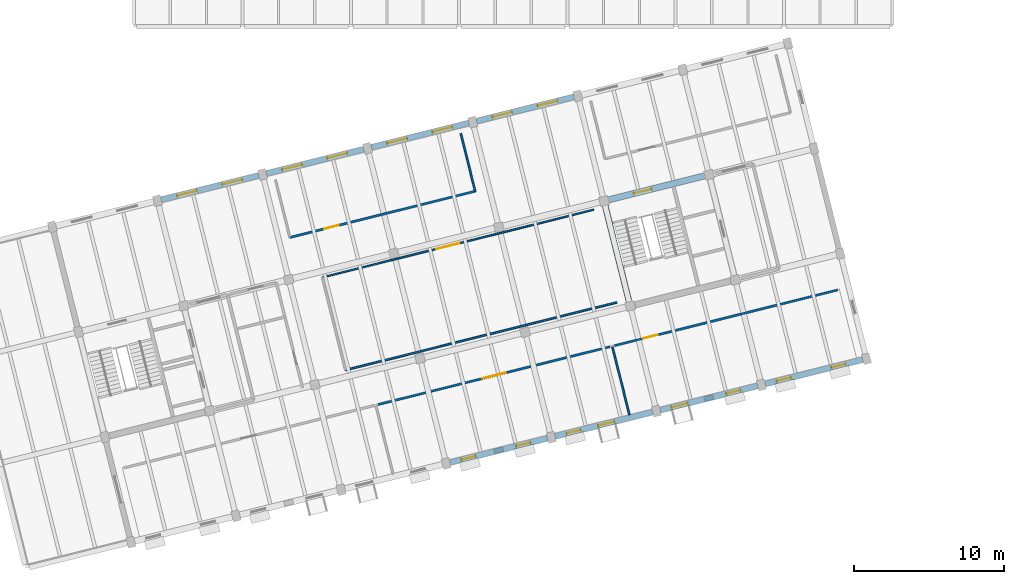
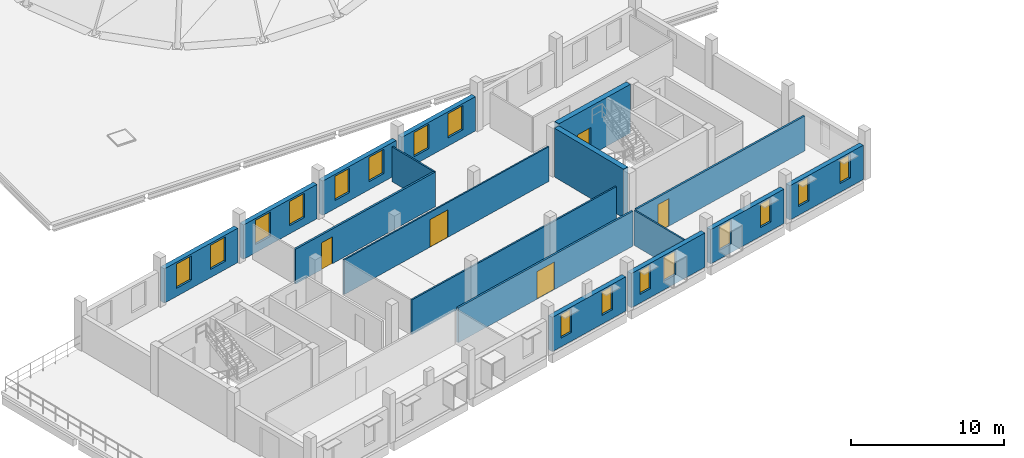
# One storey, part 24 of 32: 17 walls, 16 windows, 5 doors, 21 openings.
"""IFC4 building model written with IfcOpenShell, lengths in metres."""

from ifc_helpers import new_model, si_unit, direction, frame, frame_2d, origin, place, context, subcontext, project, spatial, rectangle, extrude, material, layer, layer_set, type_object, element, fill, save


model = new_model("IFC4")

# Units and contexts
model_context = context("Model", 3, precision=1e-05, world=origin(), true_north=direction((0.0, 1.0)))
body_context = subcontext(model_context, "Body", "Model", "MODEL_VIEW")
ifc_project = project(units=[si_unit("LENGTHUNIT", "METRE"), si_unit("AREAUNIT", "SQUARE_METRE"), si_unit("VOLUMEUNIT", "CUBIC_METRE"), si_unit("PLANEANGLEUNIT", "RADIAN"), si_unit("MASSUNIT", "GRAM", prefix="KILO")], contexts=[model_context])

# Site, building, storey
site_placement = place(None, origin())
site = spatial("IfcSite", under=ifc_project, at=site_placement, CompositionType="ELEMENT")
building_placement = place(site_placement, origin())
building = spatial("IfcBuilding", under=site, at=building_placement, Name="Qiaolan Assembly House", CompositionType="ELEMENT")
storey_placement = place(building_placement, frame((0.0, 0.0, 18.60009765625)))
storey = spatial("IfcBuildingStorey", under=building, at=storey_placement, Name="L04", CompositionType="ELEMENT", Elevation=18.60009765625)

# Wall, opening, door
ifc_material_1 = material(Name="Concrete C45/55", Category="concrete")
ifc_layer_1 = layer(ifc_material_1, 0.39990234375)
ifc_layer_set_1 = layer_set([ifc_layer_1], Name="Concrete C45/55")
wall_type_1 = type_object("IfcWallType", Name="WAL-CORE-400", PredefinedType="SHEAR", material=ifc_layer_set_1)
wall_1_placement = place(storey_placement, frame((81.07958984375, 26.08056640625, 0.0), z_axis=(0.0, 0.0, 1.0), x_axis=(-0.970294759049, -0.241925774902, 0.0)))
wall_1 = element("IfcWall", 1, at=wall_1_placement, inside=storey, type_object=wall_type_1, Name="CW-400 shear core wall CORE-D N L04", PredefinedType="SHEAR", context=body_context, shape_type="SweptSolid", body=[
    extrude(rectangle(XDim=6.5, YDim=0.39990234375, at=frame_2d((3.25, 0.0))), origin(), (0.0, 0.0, 1.0), 3.89990234375),
])
opening_1_placement = place(wall_1_placement, frame((3.60009765625, 0.0, 0.0)))
opening_1 = element("IfcOpeningElement", 2, at=opening_1_placement, cuts=wall_1, Name="Opening FD-103", PredefinedType="OPENING", context=body_context, shape_type="SweptSolid", body=[
    extrude(rectangle(XDim=1.199951171875, YDim=2.199951171875, at=frame_2d((0.60009765625, 1.10009765625))), frame((0.0, 0.2099609375, 0.0), z_axis=(0.0, -1.0, 0.0), x_axis=(1.0, 0.0, 0.0)), (0.0, 0.0, 1.0), 0.419921875),
])
ifc_material_2 = material(Name="Steel Q355B", Category="steel")
door_type_1 = type_object("IfcDoorType", Name="DOR-FIRE-FD90-1200", OperationType="NOTDEFINED", PredefinedType="DOOR", material=ifc_material_2)
door_1_placement = place(opening_1_placement, frame((1.199951171875, 0.0, 0.0), z_axis=(0.0, 0.0, 1.0), x_axis=(-1.0, 0.0, 0.0)))
door_1 = element("IfcDoor", 3, at=door_1_placement, inside=storey, type_object=door_type_1, Name="Stairwell fire door FD-103 (CORE-D L04)", OperationType="SINGLE_SWING_LEFT", OverallHeight=2.199951171875, OverallWidth=1.199951171875, PredefinedType="DOOR", context=body_context, shape_type="SweptSolid", body=[
    extrude(rectangle(XDim=1.199951171875, YDim=2.199951171875, at=frame_2d((0.60009765625, 1.10009765625))), frame((0.0, 0.02490234375, 0.0), z_axis=(0.0, -1.0, 0.0), x_axis=(1.0, 0.0, 0.0)), (0.0, 0.0, 1.0), 0.050048828125),
])
fill(opening_1, door_1)

# Wall
wall_2_placement = place(storey_placement, frame((74.517822265625, 24.083740234375, 0.0), z_axis=(0.0, 0.0, 1.0), x_axis=(0.241925774902, -0.970294759049, 0.0)))
element("IfcWall", 4, at=wall_2_placement, inside=storey, type_object=wall_type_1, Name="CW-400 shear core wall CORE-D W L04", PredefinedType="SHEAR", context=body_context, shape_type="SweptSolid", body=[
    extrude(rectangle(XDim=6.5, YDim=0.39990234375, at=frame_2d((3.25, 0.0))), origin(), (0.0, 0.0, 1.0), 3.89990234375),
])

# Wall, openings, windows
ifc_material_3 = material(Name="Honed pale limestone", Category="masonry")
ifc_layer_2 = layer(ifc_material_3, 0.360107421875)
ifc_layer_set_2 = layer_set([ifc_layer_2], Name="Honed pale limestone")
wall_type_2 = type_object("IfcWallType", Name="WAL-EXT-LIMESTONE-360", PredefinedType="SOLIDWALL", material=ifc_layer_set_2)
wall_3_placement = place(storey_placement, frame((64.19482421875, 7.02978515625, 0.0), z_axis=(0.0, 0.0, 1.0), x_axis=(0.970299141957, 0.24190819564, 0.0)))
wall_3 = element("IfcWall", 5, at=wall_3_placement, inside=storey, type_object=wall_type_2, Name="EW-360 SE South boulevard wall L04 bay 4", PredefinedType="SOLIDWALL", context=body_context, shape_type="SweptSolid", body=[
    extrude(rectangle(XDim=6.68408203125, YDim=0.360107421875, at=frame_2d((3.342041015625, 0.0))), origin(), (0.0, 0.0, 1.0), 2.739990234375),
])
opening_2_placement = place(wall_3_placement, frame((0.7919921875, 0.0, 0.699951171875)))
opening_2 = element("IfcOpeningElement", 6, at=opening_2_placement, cuts=wall_3, Name="Opening WN-346", PredefinedType="OPENING", context=body_context, shape_type="SweptSolid", body=[
    extrude(rectangle(XDim=0.949951171875, YDim=1.889892578125, at=frame_2d((0.47509765625, 0.94482421875))), frame((0.0, 0.18994140625, 0.0), z_axis=(0.0, -1.0, 0.0), x_axis=(1.0, 0.0, 0.0)), (0.0, 0.0, 1.0), 0.380126953125),
])
opening_3_placement = place(wall_3_placement, frame((4.5419921875, 0.0, 0.699951171875)))
opening_3 = element("IfcOpeningElement", 7, at=opening_3_placement, cuts=wall_3, Name="Opening WN-347", PredefinedType="OPENING", context=body_context, shape_type="SweptSolid", body=[
    extrude(rectangle(XDim=0.949951171875, YDim=1.889892578125, at=frame_2d((0.47509765625, 0.94482421875))), frame((0.0, 0.18994140625, 0.0), z_axis=(0.0, -1.0, 0.0), x_axis=(1.0, 0.0, 0.0)), (0.0, 0.0, 1.0), 0.380126953125),
])
ifc_material_4 = material(Name="Low-E double insulating glass", Category="glass")
window_type_1 = type_object("IfcWindowType", Name="WIN-PUNCH-950x2150", PartitioningType="SINGLE_PANEL", PredefinedType="WINDOW", material=ifc_material_4)
window_1_placement = place(opening_2_placement, origin())
window_1 = element("IfcWindow", 8, at=window_1_placement, inside=storey, type_object=window_type_1, Name="WN-T14 splayed window WN-346", OverallHeight=1.889892578125, OverallWidth=0.949951171875, PartitioningType="SINGLE_PANEL", PredefinedType="WINDOW", context=body_context, shape_type="SweptSolid", body=[
    extrude(rectangle(XDim=0.949951171875, YDim=1.889892578125, at=frame_2d((0.47509765625, 0.94482421875))), frame((0.0, 0.030029296875, 0.0), z_axis=(0.0, -1.0, 0.0), x_axis=(1.0, 0.0, 0.0)), (0.0, 0.0, 1.0), 0.06005859375),
])
fill(opening_2, window_1)
window_2_placement = place(opening_3_placement, origin())
window_2 = element("IfcWindow", 9, at=window_2_placement, inside=storey, type_object=window_type_1, Name="WN-T14 splayed window WN-347", OverallHeight=1.889892578125, OverallWidth=0.949951171875, PartitioningType="SINGLE_PANEL", PredefinedType="WINDOW", context=body_context, shape_type="SweptSolid", body=[
    extrude(rectangle(XDim=0.949951171875, YDim=1.889892578125, at=frame_2d((0.47509765625, 0.94482421875))), frame((0.0, 0.030029296875, 0.0), z_axis=(0.0, -1.0, 0.0), x_axis=(1.0, 0.0, 0.0)), (0.0, 0.0, 1.0), 0.06005859375),
])
fill(opening_3, window_2)

wall_4_placement = place(storey_placement, frame((71.180908203125, 8.771484375, 0.0), z_axis=(0.0, 0.0, 1.0), x_axis=(0.970290568044, 0.2419425832, 0.0)))
wall_4 = element("IfcWall", 10, at=wall_4_placement, inside=storey, type_object=wall_type_2, Name="EW-360 SE South boulevard wall L04 bay 5", PredefinedType="SOLIDWALL", context=body_context, shape_type="SweptSolid", body=[
    extrude(rectangle(XDim=6.68408203125, YDim=0.360107421875, at=frame_2d((3.342041015625, 0.0))), origin(), (0.0, 0.0, 1.0), 2.739990234375),
])
opening_4_placement = place(wall_4_placement, frame((0.7919921875, 0.0, 0.699951171875)))
opening_4 = element("IfcOpeningElement", 11, at=opening_4_placement, cuts=wall_4, Name="Opening WN-348", PredefinedType="OPENING", context=body_context, shape_type="SweptSolid", body=[
    extrude(rectangle(XDim=0.949951171875, YDim=1.889892578125, at=frame_2d((0.47509765625, 0.94482421875))), frame((0.0, 0.18994140625, 0.0), z_axis=(0.0, -1.0, 0.0), x_axis=(1.0, 0.0, 0.0)), (0.0, 0.0, 1.0), 0.380126953125),
])
opening_5_placement = place(wall_4_placement, frame((2.95703125, 0.0, 0.699951171875)))
opening_5 = element("IfcOpeningElement", 12, at=opening_5_placement, cuts=wall_4, Name="Opening WN-349", PredefinedType="OPENING", context=body_context, shape_type="SweptSolid", body=[
    extrude(rectangle(XDim=1.10009765625, YDim=1.889892578125, at=frame_2d((0.550048828125, 0.94482421875))), frame((0.0, 0.18994140625, 0.0), z_axis=(0.0, -1.0, 0.0), x_axis=(1.0, 0.0, 0.0)), (0.0, 0.0, 1.0), 0.380126953125),
])
window_type_2 = type_object("IfcWindowType", Name="WIN-BOX-1100x2350", PartitioningType="SINGLE_PANEL", PredefinedType="WINDOW", material=ifc_material_4)
window_3_placement = place(opening_5_placement, origin())
window_3 = element("IfcWindow", 13, at=window_3_placement, inside=storey, type_object=window_type_2, Name="WN-T11 splayed window WN-349", OverallHeight=1.889892578125, OverallWidth=1.10009765625, PartitioningType="SINGLE_PANEL", PredefinedType="WINDOW", context=body_context, shape_type="SweptSolid", body=[
    extrude(rectangle(XDim=1.10009765625, YDim=1.889892578125, at=frame_2d((0.550048828125, 0.94482421875))), frame((0.0, 0.030029296875, 0.0), z_axis=(0.0, -1.0, 0.0), x_axis=(1.0, 0.0, 0.0)), (0.0, 0.0, 1.0), 0.06005859375),
])
fill(opening_5, window_3)
window_4_placement = place(opening_4_placement, origin())
window_4 = element("IfcWindow", 14, at=window_4_placement, inside=storey, type_object=window_type_1, Name="WN-T14 splayed window WN-348", OverallHeight=1.889892578125, OverallWidth=0.949951171875, PartitioningType="SINGLE_PANEL", PredefinedType="WINDOW", context=body_context, shape_type="SweptSolid", body=[
    extrude(rectangle(XDim=0.949951171875, YDim=1.889892578125, at=frame_2d((0.47509765625, 0.94482421875))), frame((0.0, 0.030029296875, 0.0), z_axis=(0.0, -1.0, 0.0), x_axis=(1.0, 0.0, 0.0)), (0.0, 0.0, 1.0), 0.06005859375),
])
fill(opening_4, window_4)

wall_5_placement = place(storey_placement, frame((78.1669921875, 10.513427734375, 0.0), z_axis=(0.0, 0.0, 1.0), x_axis=(0.970299141957, 0.24190819564, 0.0)))
wall_5 = element("IfcWall", 15, at=wall_5_placement, inside=storey, type_object=wall_type_2, Name="EW-360 SE South boulevard wall L04 bay 6", PredefinedType="SOLIDWALL", context=body_context, shape_type="SweptSolid", body=[
    extrude(rectangle(XDim=6.68408203125, YDim=0.360107421875, at=frame_2d((3.342041015625, 0.0))), origin(), (0.0, 0.0, 1.0), 2.739990234375),
])
opening_6_placement = place(wall_5_placement, frame((0.7919921875, 0.0, 0.699951171875)))
opening_6 = element("IfcOpeningElement", 16, at=opening_6_placement, cuts=wall_5, Name="Opening WN-350", PredefinedType="OPENING", context=body_context, shape_type="SweptSolid", body=[
    extrude(rectangle(XDim=1.10009765625, YDim=1.889892578125, at=frame_2d((0.550048828125, 0.94482421875))), frame((0.0, 0.18994140625, 0.0), z_axis=(0.0, -1.0, 0.0), x_axis=(1.0, 0.0, 0.0)), (0.0, 0.0, 1.0), 0.380126953125),
])
opening_7_placement = place(wall_5_placement, frame((4.5419921875, 0.0, 0.699951171875)))
opening_7 = element("IfcOpeningElement", 17, at=opening_7_placement, cuts=wall_5, Name="Opening WN-351", PredefinedType="OPENING", context=body_context, shape_type="SweptSolid", body=[
    extrude(rectangle(XDim=0.949951171875, YDim=1.889892578125, at=frame_2d((0.47509765625, 0.94482421875))), frame((0.0, 0.18994140625, 0.0), z_axis=(0.0, -1.0, 0.0), x_axis=(1.0, 0.0, 0.0)), (0.0, 0.0, 1.0), 0.380126953125),
])
window_5_placement = place(opening_6_placement, origin())
window_5 = element("IfcWindow", 18, at=window_5_placement, inside=storey, type_object=window_type_2, Name="WN-T11 splayed window WN-350", OverallHeight=1.889892578125, OverallWidth=1.10009765625, PartitioningType="SINGLE_PANEL", PredefinedType="WINDOW", context=body_context, shape_type="SweptSolid", body=[
    extrude(rectangle(XDim=1.10009765625, YDim=1.889892578125, at=frame_2d((0.550048828125, 0.94482421875))), frame((0.0, 0.030029296875, 0.0), z_axis=(0.0, -1.0, 0.0), x_axis=(1.0, 0.0, 0.0)), (0.0, 0.0, 1.0), 0.06005859375),
])
fill(opening_6, window_5)
window_6_placement = place(opening_7_placement, origin())
window_6 = element("IfcWindow", 19, at=window_6_placement, inside=storey, type_object=window_type_1, Name="WN-T14 splayed window WN-351", OverallHeight=1.889892578125, OverallWidth=0.949951171875, PartitioningType="SINGLE_PANEL", PredefinedType="WINDOW", context=body_context, shape_type="SweptSolid", body=[
    extrude(rectangle(XDim=0.949951171875, YDim=1.889892578125, at=frame_2d((0.47509765625, 0.94482421875))), frame((0.0, 0.030029296875, 0.0), z_axis=(0.0, -1.0, 0.0), x_axis=(1.0, 0.0, 0.0)), (0.0, 0.0, 1.0), 0.06005859375),
])
fill(opening_7, window_6)

wall_6_placement = place(storey_placement, frame((85.1533203125, 12.25537109375, 0.0), z_axis=(0.0, 0.0, 1.0), x_axis=(0.970297004388, 0.241916769314, 0.0)))
wall_6 = element("IfcWall", 20, at=wall_6_placement, inside=storey, type_object=wall_type_2, Name="EW-360 SE South boulevard wall L04 bay 7", PredefinedType="SOLIDWALL", context=body_context, shape_type="SweptSolid", body=[
    extrude(rectangle(XDim=6.683837890625, YDim=0.360107421875, at=frame_2d((3.341796875, 0.0))), origin(), (0.0, 0.0, 1.0), 2.739990234375),
])
opening_8_placement = place(wall_6_placement, frame((0.7919921875, 0.0, 0.699951171875)))
opening_8 = element("IfcOpeningElement", 21, at=opening_8_placement, cuts=wall_6, Name="Opening WN-352", PredefinedType="OPENING", context=body_context, shape_type="SweptSolid", body=[
    extrude(rectangle(XDim=0.949951171875, YDim=1.889892578125, at=frame_2d((0.47509765625, 0.94482421875))), frame((0.0, 0.18994140625, 0.0), z_axis=(0.0, -1.0, 0.0), x_axis=(1.0, 0.0, 0.0)), (0.0, 0.0, 1.0), 0.380126953125),
])
opening_9_placement = place(wall_6_placement, frame((4.5419921875, 0.0, 0.699951171875)))
opening_9 = element("IfcOpeningElement", 22, at=opening_9_placement, cuts=wall_6, Name="Opening WN-353", PredefinedType="OPENING", context=body_context, shape_type="SweptSolid", body=[
    extrude(rectangle(XDim=0.949951171875, YDim=1.889892578125, at=frame_2d((0.47509765625, 0.94482421875))), frame((0.0, 0.18994140625, 0.0), z_axis=(0.0, -1.0, 0.0), x_axis=(1.0, 0.0, 0.0)), (0.0, 0.0, 1.0), 0.380126953125),
])
window_7_placement = place(opening_8_placement, origin())
window_7 = element("IfcWindow", 23, at=window_7_placement, inside=storey, type_object=window_type_1, Name="WN-T14 splayed window WN-352", OverallHeight=1.889892578125, OverallWidth=0.949951171875, PartitioningType="SINGLE_PANEL", PredefinedType="WINDOW", context=body_context, shape_type="SweptSolid", body=[
    extrude(rectangle(XDim=0.949951171875, YDim=1.889892578125, at=frame_2d((0.47509765625, 0.94482421875))), frame((0.0, 0.030029296875, 0.0), z_axis=(0.0, -1.0, 0.0), x_axis=(1.0, 0.0, 0.0)), (0.0, 0.0, 1.0), 0.06005859375),
])
fill(opening_8, window_7)
window_8_placement = place(opening_9_placement, origin())
window_8 = element("IfcWindow", 24, at=window_8_placement, inside=storey, type_object=window_type_1, Name="WN-T14 splayed window WN-353", OverallHeight=1.889892578125, OverallWidth=0.949951171875, PartitioningType="SINGLE_PANEL", PredefinedType="WINDOW", context=body_context, shape_type="SweptSolid", body=[
    extrude(rectangle(XDim=0.949951171875, YDim=1.889892578125, at=frame_2d((0.47509765625, 0.94482421875))), frame((0.0, 0.030029296875, 0.0), z_axis=(0.0, -1.0, 0.0), x_axis=(1.0, 0.0, 0.0)), (0.0, 0.0, 1.0), 0.06005859375),
])
fill(opening_9, window_8)

wall_7_placement = place(storey_placement, frame((51.482421875, 26.12158203125, 0.0), z_axis=(0.0, 0.0, 1.0), x_axis=(-0.970288429886, -0.241951157942, 0.0)))
wall_7 = element("IfcWall", 25, at=wall_7_placement, inside=storey, type_object=wall_type_2, Name="EW-360 SE North court wall L04 bay 2", PredefinedType="SOLIDWALL", context=body_context, shape_type="SweptSolid", body=[
    extrude(rectangle(XDim=6.683837890625, YDim=0.360107421875, at=frame_2d((3.341796875, 0.0))), origin(), (0.0, 0.0, 1.0), 2.739990234375),
])
opening_10_placement = place(wall_7_placement, frame((1.14208984375, 0.0, 0.64990234375)))
opening_10 = element("IfcOpeningElement", 26, at=opening_10_placement, cuts=wall_7, Name="Opening WN-356", PredefinedType="OPENING", context=body_context, shape_type="SweptSolid", body=[
    extrude(rectangle(XDim=1.35009765625, YDim=1.93994140625, at=frame_2d((0.675048828125, 0.969970703125))), frame((0.0, 0.18994140625, 0.0), z_axis=(0.0, -1.0, 0.0), x_axis=(1.0, 0.0, 0.0)), (0.0, 0.0, 1.0), 0.380126953125),
])
opening_11_placement = place(wall_7_placement, frame((4.241943359375, 0.0, 0.64990234375)))
opening_11 = element("IfcOpeningElement", 27, at=opening_11_placement, cuts=wall_7, Name="Opening WN-357", PredefinedType="OPENING", context=body_context, shape_type="SweptSolid", body=[
    extrude(rectangle(XDim=1.35009765625, YDim=1.93994140625, at=frame_2d((0.675048828125, 0.969970703125))), frame((0.0, 0.18994140625, 0.0), z_axis=(0.0, -1.0, 0.0), x_axis=(1.0, 0.0, 0.0)), (0.0, 0.0, 1.0), 0.380126953125),
])
window_type_3 = type_object("IfcWindowType", Name="WIN-COURT-1350x2150", PartitioningType="DOUBLE_PANEL_VERTICAL", PredefinedType="WINDOW", material=ifc_material_4)
window_9_placement = place(opening_10_placement, origin())
window_9 = element("IfcWindow", 28, at=window_9_placement, inside=storey, type_object=window_type_3, Name="SE court window WN-356", OverallHeight=1.93994140625, OverallWidth=1.35009765625, PartitioningType="DOUBLE_PANEL_VERTICAL", PredefinedType="WINDOW", context=body_context, shape_type="SweptSolid", body=[
    extrude(rectangle(XDim=1.35009765625, YDim=1.93994140625, at=frame_2d((0.675048828125, 0.969970703125))), frame((0.0, 0.030029296875, 0.0), z_axis=(0.0, -1.0, 0.0), x_axis=(1.0, 0.0, 0.0)), (0.0, 0.0, 1.0), 0.06005859375),
])
fill(opening_10, window_9)
window_10_placement = place(opening_11_placement, origin())
window_10 = element("IfcWindow", 29, at=window_10_placement, inside=storey, type_object=window_type_3, Name="SE court window WN-357", OverallHeight=1.93994140625, OverallWidth=1.35009765625, PartitioningType="DOUBLE_PANEL_VERTICAL", PredefinedType="WINDOW", context=body_context, shape_type="SweptSolid", body=[
    extrude(rectangle(XDim=1.35009765625, YDim=1.93994140625, at=frame_2d((0.675048828125, 0.969970703125))), frame((0.0, 0.030029296875, 0.0), z_axis=(0.0, -1.0, 0.0), x_axis=(1.0, 0.0, 0.0)), (0.0, 0.0, 1.0), 0.06005859375),
])
fill(opening_11, window_10)

wall_8_placement = place(storey_placement, frame((58.46875, 27.86328125, 0.0), z_axis=(0.0, 0.0, 1.0), x_axis=(-0.970299141957, -0.24190819564, 0.0)))
wall_8 = element("IfcWall", 30, at=wall_8_placement, inside=storey, type_object=wall_type_2, Name="EW-360 SE North court wall L04 bay 3", PredefinedType="SOLIDWALL", context=body_context, shape_type="SweptSolid", body=[
    extrude(rectangle(XDim=6.68408203125, YDim=0.360107421875, at=frame_2d((3.342041015625, 0.0))), origin(), (0.0, 0.0, 1.0), 2.739990234375),
])
opening_12_placement = place(wall_8_placement, frame((1.14208984375, 0.0, 0.64990234375)))
opening_12 = element("IfcOpeningElement", 31, at=opening_12_placement, cuts=wall_8, Name="Opening WN-358", PredefinedType="OPENING", context=body_context, shape_type="SweptSolid", body=[
    extrude(rectangle(XDim=1.35009765625, YDim=1.93994140625, at=frame_2d((0.675048828125, 0.969970703125))), frame((0.0, 0.18994140625, 0.0), z_axis=(0.0, -1.0, 0.0), x_axis=(1.0, 0.0, 0.0)), (0.0, 0.0, 1.0), 0.380126953125),
])
opening_13_placement = place(wall_8_placement, frame((4.241943359375, 0.0, 0.64990234375)))
opening_13 = element("IfcOpeningElement", 32, at=opening_13_placement, cuts=wall_8, Name="Opening WN-359", PredefinedType="OPENING", context=body_context, shape_type="SweptSolid", body=[
    extrude(rectangle(XDim=1.35009765625, YDim=1.93994140625, at=frame_2d((0.675048828125, 0.969970703125))), frame((0.0, 0.18994140625, 0.0), z_axis=(0.0, -1.0, 0.0), x_axis=(1.0, 0.0, 0.0)), (0.0, 0.0, 1.0), 0.380126953125),
])
window_11_placement = place(opening_12_placement, origin())
window_11 = element("IfcWindow", 33, at=window_11_placement, inside=storey, type_object=window_type_3, Name="SE court window WN-358", OverallHeight=1.93994140625, OverallWidth=1.35009765625, PartitioningType="DOUBLE_PANEL_VERTICAL", PredefinedType="WINDOW", context=body_context, shape_type="SweptSolid", body=[
    extrude(rectangle(XDim=1.35009765625, YDim=1.93994140625, at=frame_2d((0.675048828125, 0.969970703125))), frame((0.0, 0.030029296875, 0.0), z_axis=(0.0, -1.0, 0.0), x_axis=(1.0, 0.0, 0.0)), (0.0, 0.0, 1.0), 0.06005859375),
])
fill(opening_12, window_11)
window_12_placement = place(opening_13_placement, origin())
window_12 = element("IfcWindow", 34, at=window_12_placement, inside=storey, type_object=window_type_3, Name="SE court window WN-359", OverallHeight=1.93994140625, OverallWidth=1.35009765625, PartitioningType="DOUBLE_PANEL_VERTICAL", PredefinedType="WINDOW", context=body_context, shape_type="SweptSolid", body=[
    extrude(rectangle(XDim=1.35009765625, YDim=1.93994140625, at=frame_2d((0.675048828125, 0.969970703125))), frame((0.0, 0.030029296875, 0.0), z_axis=(0.0, -1.0, 0.0), x_axis=(1.0, 0.0, 0.0)), (0.0, 0.0, 1.0), 0.06005859375),
])
fill(opening_13, window_12)

wall_9_placement = place(storey_placement, frame((65.454833984375, 29.605224609375, 0.0), z_axis=(0.0, 0.0, 1.0), x_axis=(-0.970290568044, -0.2419425832, 0.0)))
wall_9 = element("IfcWall", 35, at=wall_9_placement, inside=storey, type_object=wall_type_2, Name="EW-360 SE North court wall L04 bay 4", PredefinedType="SOLIDWALL", context=body_context, shape_type="SweptSolid", body=[
    extrude(rectangle(XDim=6.68408203125, YDim=0.360107421875, at=frame_2d((3.342041015625, 0.0))), origin(), (0.0, 0.0, 1.0), 2.739990234375),
])
opening_14_placement = place(wall_9_placement, frame((1.14208984375, 0.0, 0.64990234375)))
opening_14 = element("IfcOpeningElement", 36, at=opening_14_placement, cuts=wall_9, Name="Opening WN-360", PredefinedType="OPENING", context=body_context, shape_type="SweptSolid", body=[
    extrude(rectangle(XDim=1.35009765625, YDim=1.93994140625, at=frame_2d((0.675048828125, 0.969970703125))), frame((0.0, 0.18994140625, 0.0), z_axis=(0.0, -1.0, 0.0), x_axis=(1.0, 0.0, 0.0)), (0.0, 0.0, 1.0), 0.380126953125),
])
opening_15_placement = place(wall_9_placement, frame((4.241943359375, 0.0, 0.64990234375)))
opening_15 = element("IfcOpeningElement", 37, at=opening_15_placement, cuts=wall_9, Name="Opening WN-361", PredefinedType="OPENING", context=body_context, shape_type="SweptSolid", body=[
    extrude(rectangle(XDim=1.35009765625, YDim=1.93994140625, at=frame_2d((0.675048828125, 0.969970703125))), frame((0.0, 0.18994140625, 0.0), z_axis=(0.0, -1.0, 0.0), x_axis=(1.0, 0.0, 0.0)), (0.0, 0.0, 1.0), 0.380126953125),
])
window_13_placement = place(opening_14_placement, origin())
window_13 = element("IfcWindow", 38, at=window_13_placement, inside=storey, type_object=window_type_3, Name="SE court window WN-360", OverallHeight=1.93994140625, OverallWidth=1.35009765625, PartitioningType="DOUBLE_PANEL_VERTICAL", PredefinedType="WINDOW", context=body_context, shape_type="SweptSolid", body=[
    extrude(rectangle(XDim=1.35009765625, YDim=1.93994140625, at=frame_2d((0.675048828125, 0.969970703125))), frame((0.0, 0.030029296875, 0.0), z_axis=(0.0, -1.0, 0.0), x_axis=(1.0, 0.0, 0.0)), (0.0, 0.0, 1.0), 0.06005859375),
])
fill(opening_14, window_13)
window_14_placement = place(opening_15_placement, origin())
window_14 = element("IfcWindow", 39, at=window_14_placement, inside=storey, type_object=window_type_3, Name="SE court window WN-361", OverallHeight=1.93994140625, OverallWidth=1.35009765625, PartitioningType="DOUBLE_PANEL_VERTICAL", PredefinedType="WINDOW", context=body_context, shape_type="SweptSolid", body=[
    extrude(rectangle(XDim=1.35009765625, YDim=1.93994140625, at=frame_2d((0.675048828125, 0.969970703125))), frame((0.0, 0.030029296875, 0.0), z_axis=(0.0, -1.0, 0.0), x_axis=(1.0, 0.0, 0.0)), (0.0, 0.0, 1.0), 0.06005859375),
])
fill(opening_15, window_14)

wall_10_placement = place(storey_placement, frame((72.44091796875, 31.346923828125, 0.0), z_axis=(0.0, 0.0, 1.0), x_axis=(-0.970297004388, -0.241916769314, 0.0)))
wall_10 = element("IfcWall", 40, at=wall_10_placement, inside=storey, type_object=wall_type_2, Name="EW-360 SE North court wall L04 bay 5", PredefinedType="SOLIDWALL", context=body_context, shape_type="SweptSolid", body=[
    extrude(rectangle(XDim=6.683837890625, YDim=0.360107421875, at=frame_2d((3.341796875, 0.0))), origin(), (0.0, 0.0, 1.0), 2.739990234375),
])
opening_16_placement = place(wall_10_placement, frame((1.14208984375, 0.0, 0.64990234375)))
opening_16 = element("IfcOpeningElement", 41, at=opening_16_placement, cuts=wall_10, Name="Opening WN-362", PredefinedType="OPENING", context=body_context, shape_type="SweptSolid", body=[
    extrude(rectangle(XDim=1.35009765625, YDim=1.93994140625, at=frame_2d((0.675048828125, 0.969970703125))), frame((0.0, 0.18994140625, 0.0), z_axis=(0.0, -1.0, 0.0), x_axis=(1.0, 0.0, 0.0)), (0.0, 0.0, 1.0), 0.380126953125),
])
opening_17_placement = place(wall_10_placement, frame((4.241943359375, 0.0, 0.64990234375)))
opening_17 = element("IfcOpeningElement", 42, at=opening_17_placement, cuts=wall_10, Name="Opening WN-363", PredefinedType="OPENING", context=body_context, shape_type="SweptSolid", body=[
    extrude(rectangle(XDim=1.35009765625, YDim=1.93994140625, at=frame_2d((0.675048828125, 0.969970703125))), frame((0.0, 0.18994140625, 0.0), z_axis=(0.0, -1.0, 0.0), x_axis=(1.0, 0.0, 0.0)), (0.0, 0.0, 1.0), 0.380126953125),
])
window_15_placement = place(opening_16_placement, origin())
window_15 = element("IfcWindow", 43, at=window_15_placement, inside=storey, type_object=window_type_3, Name="SE court window WN-362", OverallHeight=1.93994140625, OverallWidth=1.35009765625, PartitioningType="DOUBLE_PANEL_VERTICAL", PredefinedType="WINDOW", context=body_context, shape_type="SweptSolid", body=[
    extrude(rectangle(XDim=1.35009765625, YDim=1.93994140625, at=frame_2d((0.675048828125, 0.969970703125))), frame((0.0, 0.030029296875, 0.0), z_axis=(0.0, -1.0, 0.0), x_axis=(1.0, 0.0, 0.0)), (0.0, 0.0, 1.0), 0.06005859375),
])
fill(opening_16, window_15)
window_16_placement = place(opening_17_placement, origin())
window_16 = element("IfcWindow", 44, at=window_16_placement, inside=storey, type_object=window_type_3, Name="SE court window WN-363", OverallHeight=1.93994140625, OverallWidth=1.35009765625, PartitioningType="DOUBLE_PANEL_VERTICAL", PredefinedType="WINDOW", context=body_context, shape_type="SweptSolid", body=[
    extrude(rectangle(XDim=1.35009765625, YDim=1.93994140625, at=frame_2d((0.675048828125, 0.969970703125))), frame((0.0, 0.030029296875, 0.0), z_axis=(0.0, -1.0, 0.0), x_axis=(1.0, 0.0, 0.0)), (0.0, 0.0, 1.0), 0.06005859375),
])
fill(opening_17, window_16)

# Walls
ifc_material_5 = material(Name="Gypsum plasterboard partition")
ifc_layer_3 = layer(ifc_material_5, 0.1201171875)
ifc_layer_set_3 = layer_set([ifc_layer_3], Name="Gypsum plasterboard partition")
wall_type_3 = type_object("IfcWallType", Name="WAL-PART-120", PredefinedType="PARTITIONING", material=ifc_layer_set_3)
wall_11_placement = place(storey_placement, frame((76.126708984375, 10.190185546875, 0.0), z_axis=(0.0, 0.0, 1.0), x_axis=(-0.241945139998, 0.970289930501, 0.0)))
element("IfcWall", 45, at=wall_11_placement, inside=storey, type_object=wall_type_3, Name="West Splayed Terrace Lounge & Tea Bar demising wall", PredefinedType="PARTITIONING", context=body_context, shape_type="SweptSolid", body=[
    extrude(rectangle(XDim=4.669921875, YDim=0.1201171875, at=frame_2d((2.3349609375, 0.0))), origin(), (0.0, 0.0, 1.0), 2.77978515625),
])
wall_12_placement = place(storey_placement, frame((57.242431640625, 13.180419921875, 0.0), z_axis=(0.0, 0.0, 1.0), x_axis=(0.970295185925, 0.24192406282, 0.0)))
element("IfcWall", 46, at=wall_12_placement, inside=storey, type_object=wall_type_3, Name="Smart City Operations & Dispatch Room south partition", PredefinedType="PARTITIONING", context=body_context, shape_type="SweptSolid", body=[
    extrude(rectangle(XDim=18.599853515625, YDim=0.1201171875, at=frame_2d((9.2998046875, 0.0))), origin(), (0.0, 0.0, 1.0), 2.77978515625),
])
wall_13_placement = place(storey_placement, frame((64.91650390625, 28.904052734375, 0.0), z_axis=(0.0, 0.0, 1.0), x_axis=(0.241924747697, -0.970295015164, 0.0)))
element("IfcWall", 47, at=wall_13_placement, inside=storey, type_object=wall_type_3, Name="Court Outlook Consultation Suite L04 east wall", PredefinedType="PARTITIONING", context=body_context, shape_type="SweptSolid", body=[
    extrude(rectangle(XDim=3.949951171875, YDim=0.1201171875, at=frame_2d((1.97509765625, 0.0))), origin(), (0.0, 0.0, 1.0), 2.77978515625),
])

# Wall, opening, door
ifc_layer_4 = layer(ifc_material_5, 0.14990234375)
ifc_layer_set_4 = layer_set([ifc_layer_4], Name="Gypsum plasterboard partition")
wall_type_4 = type_object("IfcWallType", Name="WAL-PART-150", PredefinedType="PARTITIONING", material=ifc_layer_set_4)
wall_14_placement = place(storey_placement, frame((59.41162109375, 10.88720703125, 0.0), z_axis=(0.0, 0.0, 1.0), x_axis=(0.970297655112, 0.241914159329, 0.0)))
wall_14 = element("IfcWall", 48, at=wall_14_placement, inside=storey, type_object=wall_type_4, Name="Smart Mobility Traffic Briefing Room north wall", PredefinedType="PARTITIONING", context=body_context, shape_type="SweptSolid", body=[
    extrude(rectangle(XDim=15.89990234375, YDim=0.14990234375, at=frame_2d((7.949951171875, 0.0))), origin(), (0.0, 0.0, 1.0), 2.77978515625),
])
opening_18_placement = place(wall_14_placement, frame((7.14990234375, 0.0, 0.0)))
opening_18 = element("IfcOpeningElement", 49, at=opening_18_placement, cuts=wall_14, Name="Opening SD-263", PredefinedType="OPENING", context=body_context, shape_type="SweptSolid", body=[
    extrude(rectangle(XDim=1.60009765625, YDim=2.199951171875, at=frame_2d((0.800048828125, 1.10009765625))), frame((0.0, 0.0849609375, 0.0), z_axis=(0.0, -1.0, 0.0), x_axis=(1.0, 0.0, 0.0)), (0.0, 0.0, 1.0), 0.169921875),
])
ifc_material_6 = material(Name="Acoustic oak panelling")
door_type_2 = type_object("IfcDoorType", Name="DOR-COMM-DBL-1600", OperationType="DOUBLE_DOOR_SINGLE_SWING", PredefinedType="DOOR", material=ifc_material_6)
door_2_placement = place(opening_18_placement, origin())
door_2 = element("IfcDoor", 50, at=door_2_placement, inside=storey, type_object=door_type_2, Name="Smart Mobility Traffic Briefing Room door SD-263", OperationType="DOUBLE_DOOR_SINGLE_SWING", OverallHeight=2.199951171875, OverallWidth=1.60009765625, PredefinedType="DOOR", context=body_context, shape_type="SweptSolid", body=[
    extrude(rectangle(XDim=1.60009765625, YDim=2.199951171875, at=frame_2d((0.800048828125, 1.10009765625))), frame((0.0, 0.02490234375, 0.0), z_axis=(0.0, -1.0, 0.0), x_axis=(1.0, 0.0, 0.0)), (0.0, 0.0, 1.0), 0.050048828125),
])
fill(opening_18, door_2)

wall_15_placement = place(storey_placement, frame((75.13037109375, 14.806396484375, 0.0), z_axis=(0.0, 0.0, 1.0), x_axis=(0.970295306268, 0.241923580152, 0.0)))
wall_15 = element("IfcWall", 51, at=wall_15_placement, inside=storey, type_object=wall_type_4, Name="West Splayed Terrace Lounge & Tea Bar north wall", PredefinedType="PARTITIONING", context=body_context, shape_type="SweptSolid", body=[
    extrude(rectangle(XDim=15.300048828125, YDim=0.14990234375, at=frame_2d((7.64990234375, 0.0))), origin(), (0.0, 0.0, 1.0), 2.77978515625),
])
opening_19_placement = place(wall_15_placement, frame((1.949951171875, 0.0, 0.0)))
opening_19 = element("IfcOpeningElement", 52, at=opening_19_placement, cuts=wall_15, Name="Opening SD-264", PredefinedType="OPENING", context=body_context, shape_type="SweptSolid", body=[
    extrude(rectangle(XDim=1.0, YDim=2.199951171875, at=frame_2d((0.5, 1.10009765625))), frame((0.0, 0.0849609375, 0.0), z_axis=(0.0, -1.0, 0.0), x_axis=(1.0, 0.0, 0.0)), (0.0, 0.0, 1.0), 0.169921875),
])
door_type_3 = type_object("IfcDoorType", Name="DOR-OFF-SGL-1000", OperationType="NOTDEFINED", PredefinedType="DOOR", material=ifc_material_6)
door_3_placement = place(opening_19_placement, origin())
door_3 = element("IfcDoor", 53, at=door_3_placement, inside=storey, type_object=door_type_3, Name="West Splayed Terrace Lounge & Tea Bar door SD-264", OperationType="SINGLE_SWING_LEFT", OverallHeight=2.199951171875, OverallWidth=1.0, PredefinedType="DOOR", context=body_context, shape_type="SweptSolid", body=[
    extrude(rectangle(XDim=1.0, YDim=2.199951171875, at=frame_2d((0.5, 1.10009765625))), frame((0.0, 0.02490234375, 0.0), z_axis=(0.0, -1.0, 0.0), x_axis=(1.0, 0.0, 0.0)), (0.0, 0.0, 1.0), 0.050048828125),
])
fill(opening_19, door_3)

wall_16_placement = place(storey_placement, frame((53.54931640625, 21.9990234375, 0.0), z_axis=(0.0, 0.0, 1.0), x_axis=(0.970293838297, 0.241929467745, 0.0)))
wall_16 = element("IfcWall", 54, at=wall_16_placement, inside=storey, type_object=wall_type_4, Name="Court Outlook Consultation Suite L04 south wall", PredefinedType="PARTITIONING", context=body_context, shape_type="SweptSolid", body=[
    extrude(rectangle(XDim=12.699951171875, YDim=0.14990234375, at=frame_2d((6.35009765625, 0.0))), origin(), (0.0, 0.0, 1.0), 2.77978515625),
])
opening_20_placement = place(wall_16_placement, frame((2.35009765625, 0.0, 0.0)))
opening_20 = element("IfcOpeningElement", 55, at=opening_20_placement, cuts=wall_16, Name="Opening SD-266", PredefinedType="OPENING", context=body_context, shape_type="SweptSolid", body=[
    extrude(rectangle(XDim=1.0, YDim=2.14990234375, at=frame_2d((0.5, 1.074951171875))), frame((0.0, 0.0849609375, 0.0), z_axis=(0.0, -1.0, 0.0), x_axis=(1.0, 0.0, 0.0)), (0.0, 0.0, 1.0), 0.169921875),
])
door_4_placement = place(opening_20_placement, origin())
door_4 = element("IfcDoor", 56, at=door_4_placement, inside=storey, type_object=door_type_3, Name="Court Outlook Consultation Suite L04 door SD-266", OperationType="SINGLE_SWING_RIGHT", OverallHeight=2.14990234375, OverallWidth=1.0, PredefinedType="DOOR", context=body_context, shape_type="SweptSolid", body=[
    extrude(rectangle(XDim=1.0, YDim=2.14990234375, at=frame_2d((0.5, 1.074951171875))), frame((0.0, 0.02490234375, 0.0), z_axis=(0.0, -1.0, 0.0), x_axis=(1.0, 0.0, 0.0)), (0.0, 0.0, 1.0), 0.050048828125),
])
fill(opening_20, door_4)

ifc_layer_5 = layer(ifc_material_4, 0.10498046875)
ifc_layer_set_5 = layer_set([ifc_layer_5], Name="Low-E double insulating glass")
wall_type_5 = type_object("IfcWallType", Name="WAL-PART-GLAZED-120", PredefinedType="PARTITIONING", material=ifc_layer_set_5)
wall_17_placement = place(storey_placement, frame((73.753662109375, 23.841552734375, 0.0), z_axis=(0.0, 0.0, 1.0), x_axis=(-0.970295954135, -0.241920981706, 0.0)))
wall_17 = element("IfcWall", 57, at=wall_17_placement, inside=storey, type_object=wall_type_5, Name="Smart City Operations & Dispatch Room glazed partition", PredefinedType="PARTITIONING", context=body_context, shape_type="SweptSolid", body=[
    extrude(rectangle(XDim=18.60009765625, YDim=0.10498046875, at=frame_2d((9.300048828125, 0.0))), origin(), (0.0, 0.0, 1.0), 2.77978515625),
])
opening_21_placement = place(wall_17_placement, frame((9.199951171875, 0.0, 0.0)))
opening_21 = element("IfcOpeningElement", 58, at=opening_21_placement, cuts=wall_17, Name="Opening SD-265", PredefinedType="OPENING", context=body_context, shape_type="SweptSolid", body=[
    extrude(rectangle(XDim=1.60009765625, YDim=2.199951171875, at=frame_2d((0.800048828125, 1.10009765625))), frame((0.0, 0.0625, 0.0), z_axis=(0.0, -1.0, 0.0), x_axis=(1.0, 0.0, 0.0)), (0.0, 0.0, 1.0), 0.125),
])
door_5_placement = place(opening_21_placement, origin())
door_5 = element("IfcDoor", 59, at=door_5_placement, inside=storey, type_object=door_type_2, Name="Smart City Operations & Dispatch Room door SD-265", OperationType="DOUBLE_DOOR_SINGLE_SWING", OverallHeight=2.199951171875, OverallWidth=1.60009765625, PredefinedType="DOOR", context=body_context, shape_type="SweptSolid", body=[
    extrude(rectangle(XDim=1.60009765625, YDim=2.199951171875, at=frame_2d((0.800048828125, 1.10009765625))), frame((0.0, 0.02490234375, 0.0), z_axis=(0.0, -1.0, 0.0), x_axis=(1.0, 0.0, 0.0)), (0.0, 0.0, 1.0), 0.050048828125),
])
fill(opening_21, door_5)

save(model, "model.ifc")
